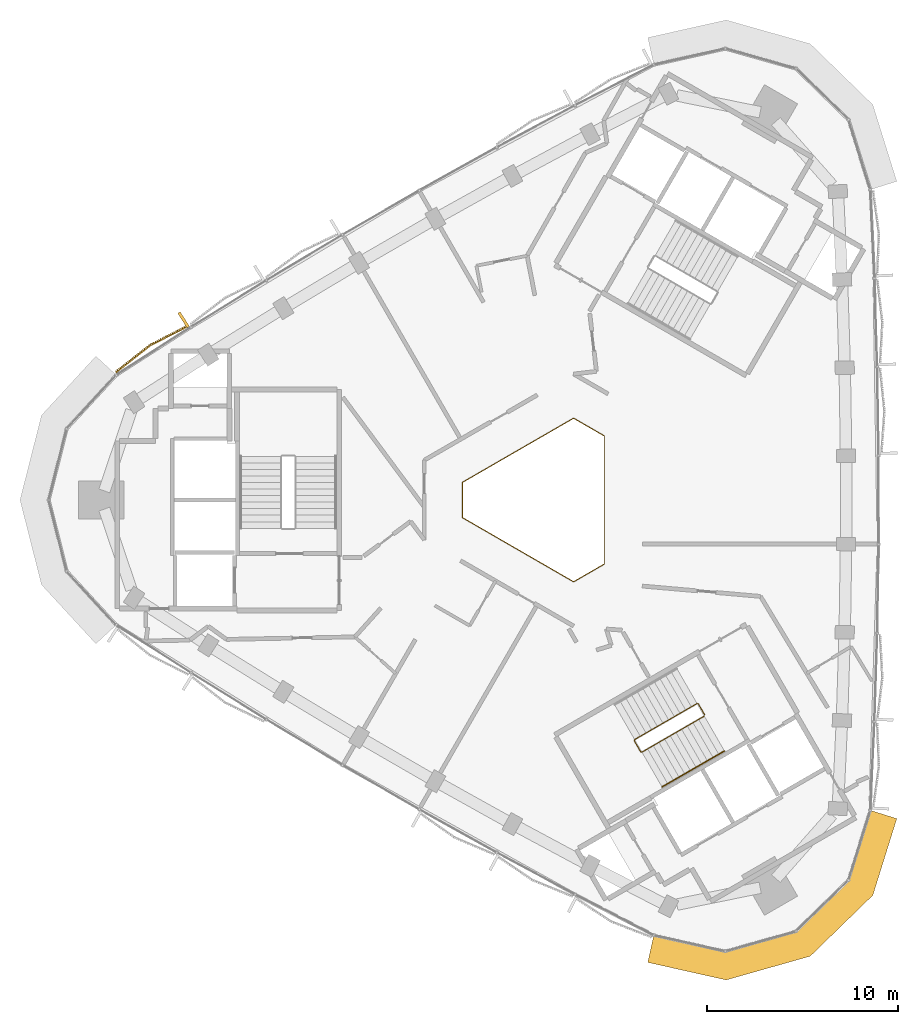
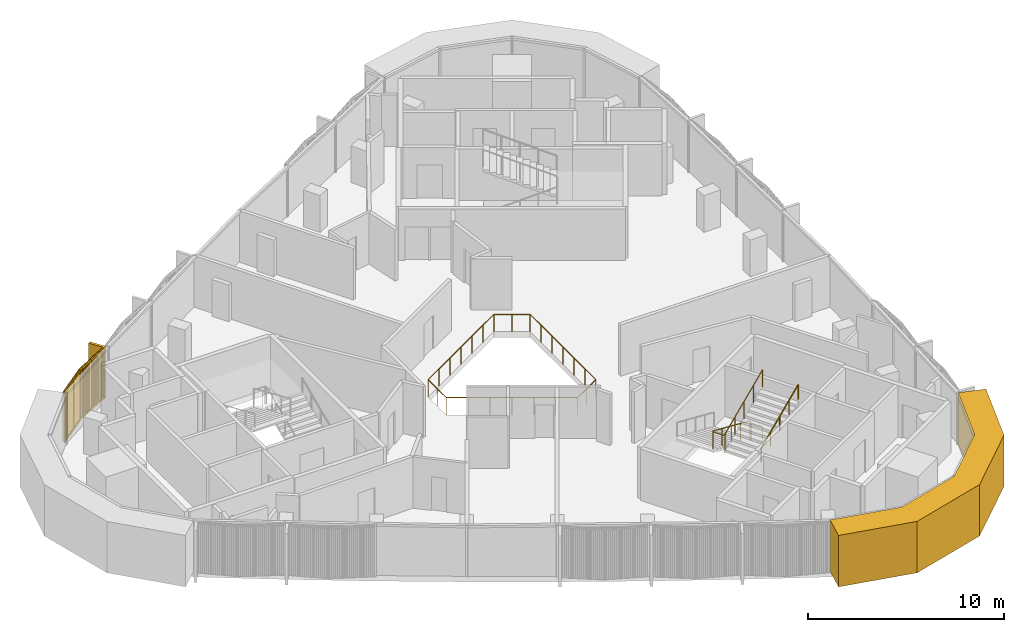
# One storey, part 11 of 13: 3 railings, 2 coverings.
"""IFC4 building model written with IfcOpenShell, lengths in metres."""

import ifcopenshell
import ifcopenshell.guid

model = None  # the IFC model being written
_history = None  # IfcOwnerHistory: only IFC2X3 demands one
_inside = {}  # id of a spatial element -> (the spatial element, [elements in it])
_under = {}  # id of a project, library or spatial element -> (it, [spatial elements below it])
_declared = {}  # id of a project -> (the project, [libraries it declares])
_typed = {}  # id of a type object -> (the type object, [elements of that type])
_made_of = {}  # id of a material, layer set ... -> (it, [elements and type objects made of it])


def new_model(schema):
    """Start an empty IFC model of exactly this schema.

    Asked for "IFC4X3", IfcOpenShell would pick the latest addendum, in which some entities
    have other attributes; the version numbers below select the first issue.
    IFC2X3 requires an IfcOwnerHistory on every rooted entity: one is made here for all.
    """
    global model, _history
    if schema == "IFC4X3":
        model = ifcopenshell.file(schema_version=(4, 3, 0, 0))
    else:
        model = ifcopenshell.file(schema=schema)
    _inside.clear()
    _under.clear()
    _declared.clear()
    _typed.clear()
    _made_of.clear()
    _history = None
    if model.schema == "IFC2X3":
        org = make("IfcOrganization", Name="unknown")
        user = make(
            "IfcPersonAndOrganization",
            ThePerson=make("IfcPerson", FamilyName="unknown"),
            TheOrganization=org,
        )
        app = make(
            "IfcApplication",
            ApplicationDeveloper=org,
            Version="unknown",
            ApplicationFullName="unknown",
            ApplicationIdentifier="unknown",
        )
        _history = make(
            "IfcOwnerHistory",
            OwningUser=user,
            OwningApplication=app,
            ChangeAction="ADDED",
            CreationDate=0,
        )
    return model


def make(cls, **values):
    """One entity of the class cls with the attributes given. An attribute that is None is left unset."""
    return model.create_entity(
        cls, **{name: value for name, value in values.items() if value is not None}
    )


def rooted(cls, **values):
    """An entity with a GlobalId (a new one), such as an element, a storey or a relation."""
    return make(cls, GlobalId=ifcopenshell.guid.new(), OwnerHistory=_history, **values)


def si_unit(unit_type, name, prefix=None):
    """IfcSIUnit, for example si_unit("LENGTHUNIT", "METRE", prefix="MILLI")."""
    return make("IfcSIUnit", UnitType=unit_type, Prefix=prefix, Name=name)


def assignment(units):
    """IfcUnitAssignment: the units of a project."""
    return None if units is None else make("IfcUnitAssignment", Units=units)


def point(xyz):
    """IfcCartesianPoint."""
    return None if xyz is None else make("IfcCartesianPoint", Coordinates=xyz)


def direction(xyz):
    """IfcDirection."""
    return None if xyz is None else make("IfcDirection", DirectionRatios=xyz)


def frame(location, z_axis=None, x_axis=None):
    """IfcAxis2Placement3D, a coordinate frame: its origin and axes. An axis left out is left unset."""
    return make(
        "IfcAxis2Placement3D",
        Location=point(location),
        Axis=direction(z_axis),
        RefDirection=direction(x_axis),
    )


def frame_2d(location, x_axis=None):
    """IfcAxis2Placement2D, a coordinate frame in the plane: its origin and x axis."""
    return make(
        "IfcAxis2Placement2D", Location=point(location), RefDirection=direction(x_axis)
    )


def origin():
    """The frame at (0, 0, 0) with its axes left unset."""
    return frame((0.0, 0.0, 0.0))


def origin_2d():
    """The frame at (0, 0) in the plane with its x axis left unset."""
    return frame_2d((0.0, 0.0))


def place(relative_to, where):
    """IfcLocalPlacement: puts the frame where relative to a parent placement (None: the world)."""
    return make(
        "IfcLocalPlacement", PlacementRelTo=relative_to, RelativePlacement=where
    )


def context(
    kind, dimensions, precision=None, world=None, true_north=None, identifier=None
):
    """IfcGeometricRepresentationContext, for example the 3D "Model" context."""
    return make(
        "IfcGeometricRepresentationContext",
        ContextIdentifier=identifier,
        ContextType=kind,
        CoordinateSpaceDimension=dimensions,
        Precision=precision,
        WorldCoordinateSystem=world,
        TrueNorth=true_north,
    )


def subcontext(parent, identifier, kind, view, scale=None):
    """IfcGeometricRepresentationSubContext, for example "Body" below "Model"."""
    return make(
        "IfcGeometricRepresentationSubContext",
        ContextIdentifier=identifier,
        ContextType=kind,
        ParentContext=parent,
        TargetScale=scale,
        TargetView=view,
    )


def project(units=None, contexts=None):
    """IfcProject with its units and contexts."""
    return rooted(
        "IfcProject",
        Name="project",
        RepresentationContexts=contexts,
        UnitsInContext=assignment(units),
    )


def spatial(cls, under=None, at=None, **own):
    """A site, building, storey or space (cls), placed at a placement, below another one or the project."""
    s = rooted(cls, ObjectPlacement=at, **own)
    if under is not None:
        _under.setdefault(under.id(), (under, []))[1].append(s)
    return s


def polyline(points):
    """IfcPolyline through the points."""
    return make("IfcPolyline", Points=[point(p) for p in points])


def profile(cls, at=None, kind="AREA", **sizes):
    """A parametric profile (cls). Its sizes go by their IFC names, for example OverallWidth=200.0."""
    return make(cls, ProfileType=kind, Position=at, **sizes)


def rectangle(**sizes):
    """IfcRectangleProfileDef."""
    return profile("IfcRectangleProfileDef", **sizes)


def circle(**sizes):
    """IfcCircleProfileDef."""
    return profile("IfcCircleProfileDef", **sizes)


def outline(outer, holes=None, kind="AREA"):
    """IfcArbitraryClosedProfileDef: a profile drawn as a closed curve; with holes, ...WithVoids."""
    if holes is None:
        return make("IfcArbitraryClosedProfileDef", ProfileType=kind, OuterCurve=outer)
    return make(
        "IfcArbitraryProfileDefWithVoids",
        ProfileType=kind,
        OuterCurve=outer,
        InnerCurves=holes,
    )


def extrude(swept, where, along, depth):
    """IfcExtrudedAreaSolid: the profile swept, set in the frame where, extruded along a direction by depth."""
    return make(
        "IfcExtrudedAreaSolid",
        SweptArea=swept,
        Position=where,
        ExtrudedDirection=direction(along),
        Depth=depth,
    )


def shape(context_of_items, identifier, shape_type, items):
    """IfcShapeRepresentation: the items that make up one representation, for example the "Body"."""
    return make(
        "IfcShapeRepresentation",
        ContextOfItems=context_of_items,
        RepresentationIdentifier=identifier,
        RepresentationType=shape_type,
        Items=items,
    )


def source(mapping_origin, context_of_items, identifier, shape_type, items):
    """IfcRepresentationMap: a shape defined once, which mapped items show again and again."""
    return make(
        "IfcRepresentationMap",
        MappingOrigin=mapping_origin,
        MappedRepresentation=shape(context_of_items, identifier, shape_type, items),
    )


def transform(
    local_origin,
    x_axis=None,
    y_axis=None,
    z_axis=None,
    scale=None,
    scale2=None,
    scale3=None,
    uniform=True,
):
    """IfcCartesianTransformationOperator3D, or its non-uniform kind. x_axis, y_axis, z_axis: its Axis1, 2, 3."""
    if uniform:
        return make(
            "IfcCartesianTransformationOperator3D",
            Axis1=direction(x_axis),
            Axis2=direction(y_axis),
            LocalOrigin=point(local_origin),
            Scale=scale,
            Axis3=direction(z_axis),
        )
    return make(
        "IfcCartesianTransformationOperator3DnonUniform",
        Axis1=direction(x_axis),
        Axis2=direction(y_axis),
        LocalOrigin=point(local_origin),
        Scale=scale,
        Axis3=direction(z_axis),
        Scale2=scale2,
        Scale3=scale3,
    )


def mapped(mapping_source, mapping_target):
    """IfcMappedItem: shows the shape of a source again, moved by a transform."""
    return make(
        "IfcMappedItem", MappingSource=mapping_source, MappingTarget=mapping_target
    )


def material(Name=None, Category=None):
    """IfcMaterial."""
    return make("IfcMaterial", Name=Name, Category=Category)


def layer(
    of_material, thickness, ventilated=None, Name=None, Category=None, Priority=None
):
    """IfcMaterialLayer: one layer of a wall or slab, of a material (None: an air gap)."""
    return make(
        "IfcMaterialLayer",
        Material=of_material,
        LayerThickness=thickness,
        IsVentilated=ventilated,
        Name=Name,
        Category=Category,
        Priority=Priority,
    )


def layer_set(layers, Name=None):
    """IfcMaterialLayerSet."""
    return make("IfcMaterialLayerSet", MaterialLayers=layers, LayerSetName=Name)


def made_of(thing, what):
    """Note that an element or type object is made of a material, layer set ...; save() writes the relation."""
    if what is not None:
        _made_of.setdefault(what.id(), (what, []))[1].append(thing)
    return thing


def type_object(cls, material=None, **own):
    """A type object (cls), such as IfcWallType, which elements share."""
    return made_of(rooted(cls, **own), material)


def element(
    cls,
    number,
    at=None,
    inside=None,
    cuts=None,
    type_object=None,
    material=None,
    context=None,
    identifier="Body",
    shape_type=None,
    held_by="IfcProductDefinitionShape",
    body=None,
    shapes=None,
    **own,
):
    """One element of the class cls, such as IfcWall. Its Tag is "e" and its number.

    at: its placement. inside: the storey or other place that contains it. cuts: it is an
    opening in that element (IfcRelVoidsElement). A single representation is given by context,
    identifier, shape_type and body (its items); several are given by shapes. held_by: the class
    of the entity that holds the representations. save() writes the other relations.
    """
    e = rooted(cls, Tag="e%d" % number, ObjectPlacement=at, **own)
    if body is not None:
        shapes = [shape(context, identifier, shape_type, body)]
    if shapes is not None:
        e.Representation = make(held_by, Representations=shapes)
    if inside is not None:
        _inside.setdefault(inside.id(), (inside, []))[1].append(e)
    if cuts is not None:
        rooted(
            "IfcRelVoidsElement", RelatingBuildingElement=cuts, RelatedOpeningElement=e
        )
    if type_object is not None:
        _typed.setdefault(type_object.id(), (type_object, []))[1].append(e)
    return made_of(e, material)


def aggregate(whole, parts):
    """IfcRelAggregates: a whole, such as a stair, and the parts it consists of."""
    return rooted("IfcRelAggregates", RelatingObject=whole, RelatedObjects=parts)


def save(model, path):
    """Write the relations noted so far, then the file.

    IfcRelAggregates (storeys below a building ...), IfcRelContainedInSpatialStructure (elements
    in a storey), IfcRelDefinesByType, IfcRelAssociatesMaterial and IfcRelDeclares: one each for
    every whole, place, type object, material and project.
    """
    for whole, parts in _under.values():
        aggregate(whole, parts)
    for where, things in _inside.values():
        rooted(
            "IfcRelContainedInSpatialStructure",
            RelatedElements=things,
            RelatingStructure=where,
        )
    for kind, things in _typed.values():
        rooted("IfcRelDefinesByType", RelatedObjects=things, RelatingType=kind)
    for what, things in _made_of.values():
        rooted("IfcRelAssociatesMaterial", RelatedObjects=things, RelatingMaterial=what)
    for by, libraries in _declared.values():
        rooted("IfcRelDeclares", RelatingContext=by, RelatedDefinitions=libraries)
    model.write(path)


model = new_model("IFC4")

# Units and contexts
model_context = context("Model", 3, precision=1e-05, world=origin(), true_north=direction((0.0, 1.0)))
body_context = subcontext(model_context, "Body", "Model", "MODEL_VIEW")
ifc_project = project(units=[si_unit("LENGTHUNIT", "METRE"), si_unit("AREAUNIT", "SQUARE_METRE"), si_unit("VOLUMEUNIT", "CUBIC_METRE"), si_unit("PLANEANGLEUNIT", "RADIAN"), si_unit("MASSUNIT", "GRAM", prefix="KILO")], contexts=[model_context])

# Site, building, storey
site_placement = place(None, origin())
site = spatial("IfcSite", under=ifc_project, at=site_placement, CompositionType="ELEMENT")
building_placement = place(site_placement, origin())
building = spatial("IfcBuilding", under=site, at=building_placement, Name="Tamra Quay Hotel Tower", CompositionType="ELEMENT")
storey_placement = place(building_placement, frame((0.0, 0.0, 298.199951171875)))
storey = spatial("IfcBuildingStorey", under=building, at=storey_placement, Name="L75", CompositionType="ELEMENT", Elevation=298.199951171875)

# Covering
ifc_material_1 = material(Name="Precast concrete M60 terracotta-coloured", Category="masonry")
ifc_layer = layer(ifc_material_1, 1.449951171875)
ifc_layer_set = layer_set([ifc_layer], Name="CORNER PIER PANEL")
covering_type_1 = type_object("IfcCoveringType", Name="CORNER PIER PANEL", PredefinedType="CLADDING", material=ifc_layer_set)
covering_1_placement = place(storey_placement, origin())
element("IfcCovering", 1, at=covering_1_placement, inside=storey, type_object=covering_type_1, Name="Corner pier L75.south-west", PredefinedType="CLADDING", context=body_context, shape_type="SweptSolid", body=[
    extrude(outline(polyline([(5.58837890625, -22.740966796875), (5.271240234375, -24.15576171875), (9.366943359375, -25.07421875), (13.759521484375, -23.832275390625), (17.031494140625, -20.649169921875), (18.283935546875, -16.642822265625), (16.89990234375, -16.210205078125), (15.757080078125, -19.865966796875), (13.01171875, -22.536865234375), (9.325927734375, -23.5791015625), (5.58837890625, -22.740966796875)])), origin(), (0.0, 0.0, 1.0), 3.199951171875),
])

# Railings
ifc_material_2 = material(Name="Guard atrium edge 1100")
railing_type_1 = type_object("IfcRailingType", Name="Guard atrium edge 1100", PredefinedType="GUARDRAIL", material=ifc_material_2)
railing_1_placement = place(storey_placement, frame((3.0, -3.34912109375, 0.0)))
element("IfcRailing", 2, at=railing_1_placement, inside=storey, type_object=railing_type_1, Name="G-A", PredefinedType="GUARDRAIL", context=body_context, shape_type="SweptSolid", body=[
    extrude(circle(Radius=0.02392578125, at=origin_2d()), frame((0.0, 0.0, 1.076171875), z_axis=(-0.866251590862, -0.499608027687, 0.0), x_axis=(0.499608027687, -0.866251590862, 0.0)), (0.0, 0.0, 1.0), 1.84716796875),
    extrude(circle(Radius=0.02392578125, at=origin_2d()), frame((-1.60009765625, -0.9228515625, 1.076171875), z_axis=(-0.866065387416, 0.499930739924, 0.0), x_axis=(-0.499930739924, -0.866065387416, 0.0)), (0.0, 0.0, 1.0), 6.69677734375),
    extrude(circle(Radius=0.02392578125, at=origin_2d()), frame((-7.39990234375, 2.425048828125, 1.076171875), z_axis=(0.0, 1.0, 0.0), x_axis=(-1.0, 0.0, 0.0)), (0.0, 0.0, 1.0), 1.84814453125),
    extrude(circle(Radius=0.02392578125, at=origin_2d()), frame((-7.39990234375, 4.273193359375, 1.076171875), z_axis=(0.866065387416, 0.499930739924, 0.0), x_axis=(-0.499930739924, 0.866065387416, 0.0)), (0.0, 0.0, 1.0), 6.69677734375),
    extrude(circle(Radius=0.02392578125, at=origin_2d()), frame((-1.60009765625, 7.62109375, 1.076171875), z_axis=(0.866251590862, -0.499608027687, 0.0), x_axis=(0.499608027687, 0.866251590862, 0.0)), (0.0, 0.0, 1.0), 1.84716796875),
    extrude(circle(Radius=0.02392578125, at=origin_2d()), frame((0.0, 6.6982421875, 1.076171875), z_axis=(0.0, -1.0, 0.0), x_axis=(1.0, 0.0, 0.0)), (0.0, 0.0, 1.0), 6.6982421875),
    extrude(circle(Radius=0.02099609375, at=origin_2d()), origin(), (0.0, 0.0, 1.0), 1.052001953125),
    extrude(circle(Radius=0.02099609375, at=origin_2d()), frame((-0.800048828125, -0.46142578125, 0.0)), (0.0, 0.0, 1.0), 1.052001953125),
    extrude(circle(Radius=0.02099609375, at=origin_2d()), frame((-1.60009765625, -0.9228515625, 0.0)), (0.0, 0.0, 1.0), 1.052001953125),
    extrude(circle(Radius=0.02099609375, at=origin_2d()), frame((-2.566650390625, -0.36474609375, 0.0)), (0.0, 0.0, 1.0), 1.052001953125),
    extrude(circle(Radius=0.02099609375, at=origin_2d()), frame((-3.533447265625, 0.193115234375, 0.0)), (0.0, 0.0, 1.0), 1.052001953125),
    extrude(circle(Radius=0.02099609375, at=origin_2d()), frame((-4.5, 0.7509765625, 0.0)), (0.0, 0.0, 1.0), 1.052001953125),
    extrude(circle(Radius=0.02099609375, at=origin_2d()), frame((-5.466552734375, 1.30908203125, 0.0)), (0.0, 0.0, 1.0), 1.052001953125),
    extrude(circle(Radius=0.02099609375, at=origin_2d()), frame((-6.433349609375, 1.8671875, 0.0)), (0.0, 0.0, 1.0), 1.052001953125),
    extrude(circle(Radius=0.02099609375, at=origin_2d()), frame((-7.39990234375, 2.425048828125, 0.0)), (0.0, 0.0, 1.0), 1.052001953125),
    extrude(circle(Radius=0.02099609375, at=origin_2d()), frame((-7.39990234375, 3.34912109375, 0.0)), (0.0, 0.0, 1.0), 1.052001953125),
    extrude(circle(Radius=0.02099609375, at=origin_2d()), frame((-7.39990234375, 4.273193359375, 0.0)), (0.0, 0.0, 1.0), 1.052001953125),
    extrude(circle(Radius=0.02099609375, at=origin_2d()), frame((-6.433349609375, 4.8310546875, 0.0)), (0.0, 0.0, 1.0), 1.052001953125),
    extrude(circle(Radius=0.02099609375, at=origin_2d()), frame((-5.466552734375, 5.38916015625, 0.0)), (0.0, 0.0, 1.0), 1.052001953125),
    extrude(circle(Radius=0.02099609375, at=origin_2d()), frame((-4.5, 5.947265625, 0.0)), (0.0, 0.0, 1.0), 1.052001953125),
    extrude(circle(Radius=0.02099609375, at=origin_2d()), frame((-3.533447265625, 6.505126953125, 0.0)), (0.0, 0.0, 1.0), 1.052001953125),
    extrude(circle(Radius=0.02099609375, at=origin_2d()), frame((-2.566650390625, 7.06298828125, 0.0)), (0.0, 0.0, 1.0), 1.052001953125),
    extrude(circle(Radius=0.02099609375, at=origin_2d()), frame((-1.60009765625, 7.62109375, 0.0)), (0.0, 0.0, 1.0), 1.052001953125),
    extrude(circle(Radius=0.02099609375, at=origin_2d()), frame((-0.800048828125, 7.15966796875, 0.0)), (0.0, 0.0, 1.0), 1.052001953125),
    extrude(circle(Radius=0.02099609375, at=origin_2d()), frame((0.0, 6.6982421875, 0.0)), (0.0, 0.0, 1.0), 1.052001953125),
    extrude(circle(Radius=0.02099609375, at=origin_2d()), frame((0.0, 5.581787109375, 0.0)), (0.0, 0.0, 1.0), 1.052001953125),
    extrude(circle(Radius=0.02099609375, at=origin_2d()), frame((0.0, 4.465576171875, 0.0)), (0.0, 0.0, 1.0), 1.052001953125),
    extrude(circle(Radius=0.02099609375, at=origin_2d()), frame((0.0, 3.34912109375, 0.0)), (0.0, 0.0, 1.0), 1.052001953125),
    extrude(circle(Radius=0.02099609375, at=origin_2d()), frame((0.0, 2.232666015625, 0.0)), (0.0, 0.0, 1.0), 1.052001953125),
    extrude(circle(Radius=0.02099609375, at=origin_2d()), frame((0.0, 1.116455078125, 0.0)), (0.0, 0.0, 1.0), 1.052001953125),
])
ifc_material_3 = material(Name="Stair guard 1100")
railing_type_2 = type_object("IfcRailingType", Name="Stair guard 1100", PredefinedType="GUARDRAIL", material=ifc_material_3)
railing_2_placement = place(storey_placement, frame((8.245849609375, -11.221923828125, 0.0)))
element("IfcRailing", 3, at=railing_2_placement, inside=storey, type_object=railing_type_2, Name="GR", PredefinedType="GUARDRAIL", context=body_context, shape_type="SweptSolid", body=[
    extrude(circle(Radius=0.02392578125, at=origin_2d()), frame((0.0, 0.0, 1.076171875), z_axis=(-0.500043078269, 0.866000531106, 0.0), x_axis=(-0.866000531106, -0.500043078269, 0.0)), (0.0, 0.0, 1.0), 0.6591796875),
    extrude(circle(Radius=0.02392578125, at=origin_2d()), frame((-0.32958984375, 0.57080078125, 1.076171875), z_axis=(-0.411831509231, 0.110312011401, 0.90455849349), x_axis=(-0.258736085224, -0.965948051503, 0.0)), (0.0, 0.0, 1.0), 0.166015625),
    extrude(circle(Radius=0.02392578125, at=origin_2d()), frame((-0.39794921875, 0.589111328125, 1.22607421875), z_axis=(-0.793100512587, -0.457912285461, 0.401631567183), x_axis=(0.500012686397, -0.866018079166, 0.0)), (0.0, 0.0, 1.0), 4.10791015625),
    extrude(circle(Radius=0.02392578125, at=origin_2d()), frame((-3.656005859375, -1.2919921875, 2.8759765625), z_axis=(-0.256368644879, -0.966579080015, 0.0), x_axis=(0.966579080015, -0.256368644879, 0.0)), (0.0, 0.0, 1.0), 0.070556640625),
    extrude(circle(Radius=0.02392578125, at=origin_2d()), frame((-3.674072265625, -1.360107421875, 2.8759765625), z_axis=(0.499765215335, -0.866160914346, 0.0), x_axis=(0.866160914346, 0.499765215335, 0.0)), (0.0, 0.0, 1.0), 0.658935546875),
    extrude(circle(Radius=0.02392578125, at=origin_2d()), frame((-3.3447265625, -1.930908203125, 2.8759765625), z_axis=(0.41238007866, -0.110458949641, 0.904290601062), x_axis=(0.258736085224, 0.965948051503, 0.0)), (0.0, 0.0, 1.0), 0.165771484375),
    extrude(circle(Radius=0.02392578125, at=origin_2d()), frame((-3.2763671875, -1.94921875, 3.02587890625), z_axis=(0.793081581205, 0.457901355053, 0.401681409319), x_axis=(-0.500012686397, 0.866018079166, 0.0)), (0.0, 0.0, 1.0), 4.108154296875),
    extrude(circle(Radius=0.02099609375, at=origin_2d()), origin(), (0.0, 0.0, 1.0), 1.052001953125),
    extrude(circle(Radius=0.02099609375, at=origin_2d()), frame((-0.32958984375, 0.57080078125, 0.0)), (0.0, 0.0, 1.0), 1.052001953125),
    extrude(circle(Radius=0.02099609375, at=origin_2d()), frame((-0.39794921875, 0.589111328125, 0.150146484375)), (0.0, 0.0, 1.0), 1.052001953125),
    extrude(circle(Radius=0.02099609375, at=origin_2d()), frame((-1.21240234375, 0.118896484375, 0.5625)), (0.0, 0.0, 1.0), 1.052001953125),
    extrude(circle(Radius=0.02099609375, at=origin_2d()), frame((-2.02685546875, -0.3515625, 0.97509765625)), (0.0, 0.0, 1.0), 1.052001953125),
    extrude(circle(Radius=0.02099609375, at=origin_2d()), frame((-2.841552734375, -0.82177734375, 1.3876953125)), (0.0, 0.0, 1.0), 1.052001953125),
    extrude(circle(Radius=0.02099609375, at=origin_2d()), frame((-3.656005859375, -1.2919921875, 1.800048828125)), (0.0, 0.0, 1.0), 1.052001953125),
    extrude(circle(Radius=0.02099609375, at=origin_2d()), frame((-3.674072265625, -1.360107421875, 1.800048828125)), (0.0, 0.0, 1.0), 1.052001953125),
    extrude(circle(Radius=0.02099609375, at=origin_2d()), frame((-3.3447265625, -1.930908203125, 1.800048828125)), (0.0, 0.0, 1.0), 1.052001953125),
    extrude(circle(Radius=0.02099609375, at=origin_2d()), frame((-3.2763671875, -1.94921875, 1.949951171875)), (0.0, 0.0, 1.0), 1.052001953125),
    extrude(circle(Radius=0.02099609375, at=origin_2d()), frame((-2.4619140625, -1.47900390625, 2.362548828125)), (0.0, 0.0, 1.0), 1.052001953125),
    extrude(circle(Radius=0.02099609375, at=origin_2d()), frame((-1.6474609375, -1.0087890625, 2.77490234375)), (0.0, 0.0, 1.0), 1.052001953125),
    extrude(circle(Radius=0.02099609375, at=origin_2d()), frame((-0.832763671875, -0.538330078125, 3.1875)), (0.0, 0.0, 1.0), 1.052001953125),
    extrude(circle(Radius=0.02099609375, at=origin_2d()), frame((-0.018310546875, -0.068115234375, 3.60009765625)), (0.0, 0.0, 1.0), 1.052001953125),
])
ifc_material_4 = material(Name="Stair handrail 900")
railing_type_3 = type_object("IfcRailingType", Name="Stair handrail 900", PredefinedType="HANDRAIL", material=ifc_material_4)
railing_3_placement = place(storey_placement, frame((6.01953125, -14.98974609375, 1.949951171875)))
element("IfcRailing", 4, at=railing_3_placement, inside=storey, type_object=railing_type_3, Name="HR", PredefinedType="HANDRAIL", context=body_context, shape_type="SweptSolid", body=[
    extrude(circle(Radius=0.02392578125, at=origin_2d()), frame((0.0, 0.0, 0.8759765625), z_axis=(0.793081112945, 0.457875966286, 0.40171127416), x_axis=(-0.499992114976, 0.866029956157, 0.0)), (0.0, 0.0, 1.0), 4.10791015625),
    extrude(circle(Radius=0.02099609375, at=origin_2d()), origin(), (0.0, 0.0, 1.0), 0.851806640625),
    extrude(circle(Radius=0.02099609375, at=origin_2d()), frame((0.814453125, 0.47021484375, 0.41259765625)), (0.0, 0.0, 1.0), 0.851806640625),
    extrude(circle(Radius=0.02099609375, at=origin_2d()), frame((1.62890625, 0.9404296875, 0.8251953125)), (0.0, 0.0, 1.0), 0.851806640625),
    extrude(circle(Radius=0.02099609375, at=origin_2d()), frame((2.443359375, 1.41064453125, 1.237548828125)), (0.0, 0.0, 1.0), 0.851806640625),
    extrude(circle(Radius=0.02099609375, at=origin_2d()), frame((3.2578125, 1.880859375, 1.650146484375)), (0.0, 0.0, 1.0), 0.851806640625),
])

# Covering
ifc_material_5 = material(Name="Terracotta baguette extruded", Category="masonry")
covering_type_2 = type_object("IfcCoveringType", Name="BAGUETTE SCREEN NW-V H3200", PredefinedType="USERDEFINED", material=ifc_material_5)
shared_shape = source(origin(), body_context, "Body", "SweptSolid", [
    extrude(rectangle(XDim=2.282958984375, YDim=0.06005859375, at=frame_2d((1.1416015625, 0.030029296875))), frame((-2.2783203125, -0.0576171875, -0.1201171875), z_axis=(0.0, 0.0, 1.0), x_axis=(0.995396198367, -0.09584575252, 0.0)), (0.0, 0.0, 1.0), 0.1201171875),
    extrude(rectangle(XDim=2.282958984375, YDim=0.06005859375, at=frame_2d((1.1416015625, 0.030029296875))), frame((-2.2783203125, -0.0576171875, -3.199951171875), z_axis=(0.0, 0.0, 1.0), x_axis=(0.995396198367, -0.09584575252, 0.0)), (0.0, 0.0, 1.0), 0.1201171875),
    extrude(rectangle(XDim=0.070068359375, YDim=0.10009765625, at=frame_2d((0.03515625, 0.050048828125))), frame((-2.258056640625, -0.1328125, -3.139892578125)), (0.0, 0.0, 1.0), 3.080078125),
    extrude(rectangle(XDim=0.070068359375, YDim=0.10009765625, at=frame_2d((0.03515625, 0.050048828125))), frame((-2.1591796875, -0.142333984375, -3.139892578125)), (0.0, 0.0, 1.0), 3.080078125),
    extrude(rectangle(XDim=0.070068359375, YDim=0.10009765625, at=frame_2d((0.03515625, 0.050048828125))), frame((-2.060546875, -0.15185546875, -3.139892578125)), (0.0, 0.0, 1.0), 3.080078125),
    extrude(rectangle(XDim=0.070068359375, YDim=0.10009765625, at=frame_2d((0.03515625, 0.050048828125))), frame((-1.961669921875, -0.161376953125, -3.139892578125)), (0.0, 0.0, 1.0), 3.080078125),
    extrude(rectangle(XDim=0.070068359375, YDim=0.10009765625, at=frame_2d((0.03515625, 0.050048828125))), frame((-1.86279296875, -0.1708984375, -3.139892578125)), (0.0, 0.0, 1.0), 3.080078125),
    extrude(rectangle(XDim=0.070068359375, YDim=0.10009765625, at=frame_2d((0.03515625, 0.050048828125))), frame((-1.76416015625, -0.180419921875, -3.139892578125)), (0.0, 0.0, 1.0), 3.080078125),
    extrude(rectangle(XDim=0.070068359375, YDim=0.10009765625, at=frame_2d((0.03515625, 0.050048828125))), frame((-1.665283203125, -0.18994140625, -3.139892578125)), (0.0, 0.0, 1.0), 3.080078125),
    extrude(rectangle(XDim=0.070068359375, YDim=0.10009765625, at=frame_2d((0.03515625, 0.050048828125))), frame((-1.56640625, -0.199462890625, -3.139892578125)), (0.0, 0.0, 1.0), 3.080078125),
    extrude(rectangle(XDim=0.070068359375, YDim=0.10009765625, at=frame_2d((0.03515625, 0.050048828125))), frame((-1.4677734375, -0.208984375, -3.139892578125)), (0.0, 0.0, 1.0), 3.080078125),
    extrude(rectangle(XDim=0.070068359375, YDim=0.10009765625, at=frame_2d((0.03515625, 0.050048828125))), frame((-1.368896484375, -0.21826171875, -3.139892578125)), (0.0, 0.0, 1.0), 3.080078125),
    extrude(rectangle(XDim=0.070068359375, YDim=0.10009765625, at=frame_2d((0.03515625, 0.050048828125))), frame((-1.27001953125, -0.227783203125, -3.139892578125)), (0.0, 0.0, 1.0), 3.080078125),
    extrude(rectangle(XDim=0.070068359375, YDim=0.10009765625, at=frame_2d((0.03515625, 0.050048828125))), frame((-1.171142578125, -0.2373046875, -3.139892578125)), (0.0, 0.0, 1.0), 3.080078125),
    extrude(rectangle(XDim=0.070068359375, YDim=0.10009765625, at=frame_2d((0.03515625, 0.050048828125))), frame((-1.072509765625, -0.246826171875, -3.139892578125)), (0.0, 0.0, 1.0), 3.080078125),
    extrude(rectangle(XDim=0.070068359375, YDim=0.10009765625, at=frame_2d((0.03515625, 0.050048828125))), frame((-0.9736328125, -0.25634765625, -3.139892578125)), (0.0, 0.0, 1.0), 3.080078125),
    extrude(rectangle(XDim=0.070068359375, YDim=0.10009765625, at=frame_2d((0.03515625, 0.050048828125))), frame((-0.874755859375, -0.265869140625, -3.139892578125)), (0.0, 0.0, 1.0), 3.080078125),
    extrude(rectangle(XDim=0.070068359375, YDim=0.10009765625, at=frame_2d((0.03515625, 0.050048828125))), frame((-0.776123046875, -0.275390625, -3.139892578125)), (0.0, 0.0, 1.0), 3.080078125),
    extrude(rectangle(XDim=0.070068359375, YDim=0.10009765625, at=frame_2d((0.03515625, 0.050048828125))), frame((-0.67724609375, -0.284912109375, -3.139892578125)), (0.0, 0.0, 1.0), 3.080078125),
    extrude(rectangle(XDim=0.070068359375, YDim=0.10009765625, at=frame_2d((0.03515625, 0.050048828125))), frame((-0.578369140625, -0.29443359375, -3.139892578125)), (0.0, 0.0, 1.0), 3.080078125),
    extrude(rectangle(XDim=0.070068359375, YDim=0.10009765625, at=frame_2d((0.03515625, 0.050048828125))), frame((-0.479736328125, -0.303955078125, -3.139892578125)), (0.0, 0.0, 1.0), 3.080078125),
    extrude(rectangle(XDim=0.070068359375, YDim=0.10009765625, at=frame_2d((0.03515625, 0.050048828125))), frame((-0.380859375, -0.3134765625, -3.139892578125)), (0.0, 0.0, 1.0), 3.080078125),
    extrude(rectangle(XDim=0.070068359375, YDim=0.10009765625, at=frame_2d((0.03515625, 0.050048828125))), frame((-0.281982421875, -0.322998046875, -3.139892578125)), (0.0, 0.0, 1.0), 3.080078125),
    extrude(rectangle(XDim=0.070068359375, YDim=0.10009765625, at=frame_2d((0.03515625, 0.050048828125))), frame((-0.18310546875, -0.33251953125, -3.139892578125)), (0.0, 0.0, 1.0), 3.080078125),
    extrude(rectangle(XDim=0.070068359375, YDim=0.10009765625, at=frame_2d((0.03515625, 0.050048828125))), frame((-0.08447265625, -0.342041015625, -3.139892578125)), (0.0, 0.0, 1.0), 3.080078125),
    extrude(rectangle(XDim=2.282958984375, YDim=0.06005859375, at=frame_2d((1.1416015625, 0.030029296875))), frame((0.005859375, -0.276611328125, -0.1201171875), z_axis=(0.0, 0.0, 1.0), x_axis=(0.995396198367, 0.09584575252, 0.0)), (0.0, 0.0, 1.0), 0.1201171875),
    extrude(rectangle(XDim=2.282958984375, YDim=0.06005859375, at=frame_2d((1.1416015625, 0.030029296875))), frame((0.005859375, -0.276611328125, -3.199951171875), z_axis=(0.0, 0.0, 1.0), x_axis=(0.995396198367, 0.09584575252, 0.0)), (0.0, 0.0, 1.0), 0.1201171875),
    extrude(rectangle(XDim=0.070068359375, YDim=0.10009765625, at=frame_2d((0.03515625, 0.050048828125))), frame((0.014404296875, -0.342041015625, -3.139892578125)), (0.0, 0.0, 1.0), 3.080078125),
    extrude(rectangle(XDim=0.070068359375, YDim=0.10009765625, at=frame_2d((0.03515625, 0.050048828125))), frame((0.11328125, -0.33251953125, -3.139892578125)), (0.0, 0.0, 1.0), 3.080078125),
    extrude(rectangle(XDim=0.070068359375, YDim=0.10009765625, at=frame_2d((0.03515625, 0.050048828125))), frame((0.2119140625, -0.322998046875, -3.139892578125)), (0.0, 0.0, 1.0), 3.080078125),
    extrude(rectangle(XDim=0.070068359375, YDim=0.10009765625, at=frame_2d((0.03515625, 0.050048828125))), frame((0.310791015625, -0.3134765625, -3.139892578125)), (0.0, 0.0, 1.0), 3.080078125),
    extrude(rectangle(XDim=0.070068359375, YDim=0.10009765625, at=frame_2d((0.03515625, 0.050048828125))), frame((0.40966796875, -0.303955078125, -3.139892578125)), (0.0, 0.0, 1.0), 3.080078125),
    extrude(rectangle(XDim=0.070068359375, YDim=0.10009765625, at=frame_2d((0.03515625, 0.050048828125))), frame((0.50830078125, -0.29443359375, -3.139892578125)), (0.0, 0.0, 1.0), 3.080078125),
    extrude(rectangle(XDim=0.070068359375, YDim=0.10009765625, at=frame_2d((0.03515625, 0.050048828125))), frame((0.607177734375, -0.284912109375, -3.139892578125)), (0.0, 0.0, 1.0), 3.080078125),
    extrude(rectangle(XDim=0.070068359375, YDim=0.10009765625, at=frame_2d((0.03515625, 0.050048828125))), frame((0.7060546875, -0.275390625, -3.139892578125)), (0.0, 0.0, 1.0), 3.080078125),
    extrude(rectangle(XDim=0.070068359375, YDim=0.10009765625, at=frame_2d((0.03515625, 0.050048828125))), frame((0.804931640625, -0.265869140625, -3.139892578125)), (0.0, 0.0, 1.0), 3.080078125),
    extrude(rectangle(XDim=0.070068359375, YDim=0.10009765625, at=frame_2d((0.03515625, 0.050048828125))), frame((0.903564453125, -0.25634765625, -3.139892578125)), (0.0, 0.0, 1.0), 3.080078125),
    extrude(rectangle(XDim=0.070068359375, YDim=0.10009765625, at=frame_2d((0.03515625, 0.050048828125))), frame((1.00244140625, -0.246826171875, -3.139892578125)), (0.0, 0.0, 1.0), 3.080078125),
    extrude(rectangle(XDim=0.070068359375, YDim=0.10009765625, at=frame_2d((0.03515625, 0.050048828125))), frame((1.101318359375, -0.2373046875, -3.139892578125)), (0.0, 0.0, 1.0), 3.080078125),
    extrude(rectangle(XDim=0.070068359375, YDim=0.10009765625, at=frame_2d((0.03515625, 0.050048828125))), frame((1.199951171875, -0.227783203125, -3.139892578125)), (0.0, 0.0, 1.0), 3.080078125),
    extrude(rectangle(XDim=0.070068359375, YDim=0.10009765625, at=frame_2d((0.03515625, 0.050048828125))), frame((1.298828125, -0.21826171875, -3.139892578125)), (0.0, 0.0, 1.0), 3.080078125),
    extrude(rectangle(XDim=0.070068359375, YDim=0.10009765625, at=frame_2d((0.03515625, 0.050048828125))), frame((1.397705078125, -0.208984375, -3.139892578125)), (0.0, 0.0, 1.0), 3.080078125),
    extrude(rectangle(XDim=0.070068359375, YDim=0.10009765625, at=frame_2d((0.03515625, 0.050048828125))), frame((1.49658203125, -0.199462890625, -3.139892578125)), (0.0, 0.0, 1.0), 3.080078125),
    extrude(rectangle(XDim=0.070068359375, YDim=0.10009765625, at=frame_2d((0.03515625, 0.050048828125))), frame((1.59521484375, -0.18994140625, -3.139892578125)), (0.0, 0.0, 1.0), 3.080078125),
    extrude(rectangle(XDim=0.070068359375, YDim=0.10009765625, at=frame_2d((0.03515625, 0.050048828125))), frame((1.694091796875, -0.180419921875, -3.139892578125)), (0.0, 0.0, 1.0), 3.080078125),
    extrude(rectangle(XDim=0.070068359375, YDim=0.10009765625, at=frame_2d((0.03515625, 0.050048828125))), frame((1.79296875, -0.1708984375, -3.139892578125)), (0.0, 0.0, 1.0), 3.080078125),
    extrude(rectangle(XDim=0.070068359375, YDim=0.10009765625, at=frame_2d((0.03515625, 0.050048828125))), frame((1.8916015625, -0.161376953125, -3.139892578125)), (0.0, 0.0, 1.0), 3.080078125),
    extrude(rectangle(XDim=0.070068359375, YDim=0.10009765625, at=frame_2d((0.03515625, 0.050048828125))), frame((1.990478515625, -0.15185546875, -3.139892578125)), (0.0, 0.0, 1.0), 3.080078125),
    extrude(rectangle(XDim=0.070068359375, YDim=0.10009765625, at=frame_2d((0.03515625, 0.050048828125))), frame((2.08935546875, -0.142333984375, -3.139892578125)), (0.0, 0.0, 1.0), 3.080078125),
    extrude(rectangle(XDim=0.070068359375, YDim=0.10009765625, at=frame_2d((0.03515625, 0.050048828125))), frame((2.18798828125, -0.1328125, -3.139892578125)), (0.0, 0.0, 1.0), 3.080078125),
    extrude(rectangle(XDim=0.14990234375, YDim=0.902099609375, at=frame_2d((0.074951171875, 0.451171875))), frame((-2.2724609375, -0.89990234375, -3.199951171875)), (0.0, 0.0, 1.0), 3.199951171875),
])
covering_2_placement = place(storey_placement, frame((-20.580322265625, 7.84765625, 3.199951171875), z_axis=(0.0, 0.0, 1.0), x_axis=(-0.841664986899, -0.540000046137, 0.0)))
element("IfcCovering", 5, at=covering_2_placement, inside=storey, type_object=covering_type_2, Name="Baguette screen L75.NW.f06", ObjectType="BAGUETTE SCREEN", PredefinedType="USERDEFINED", context=body_context, shape_type="MappedRepresentation", body=[
    mapped(shared_shape, transform((0.0, 0.0, 0.0), scale=1.0)),
])

save(model, "model.ifc")
